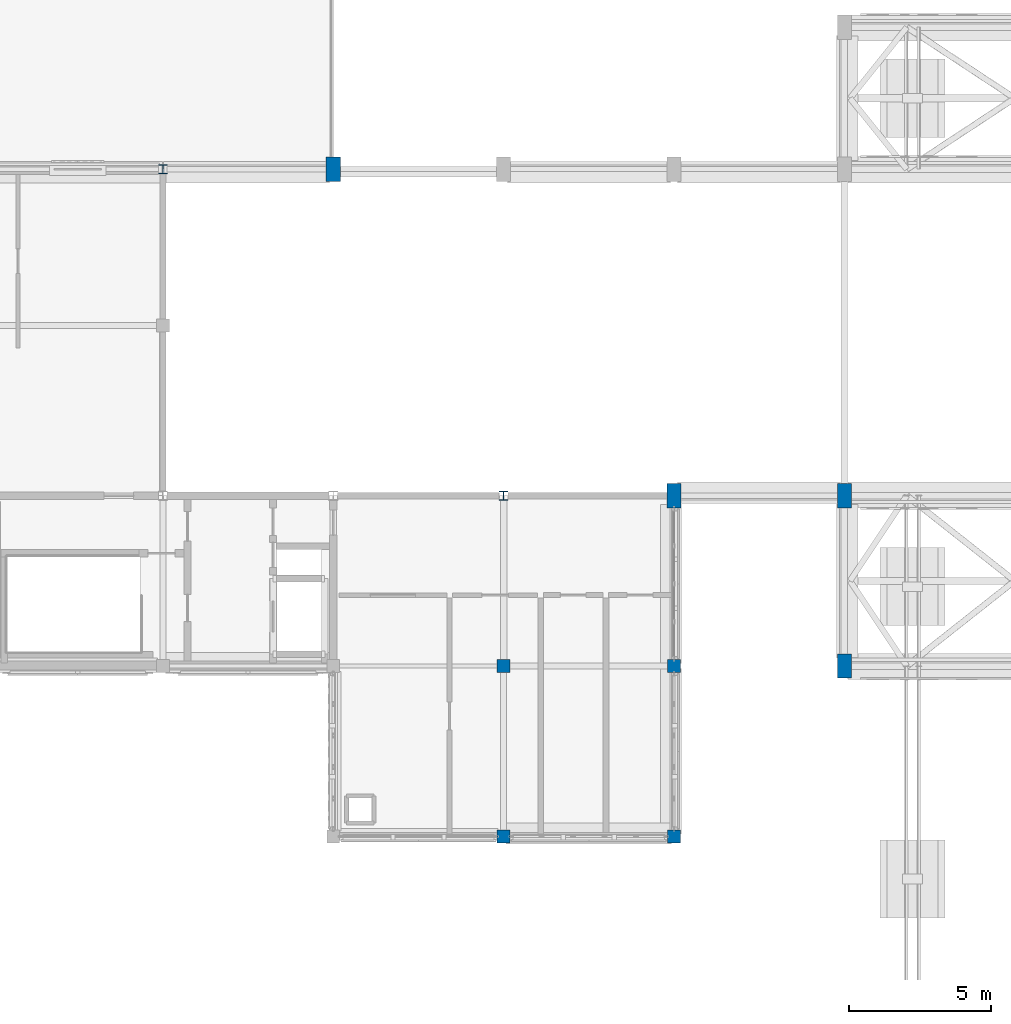
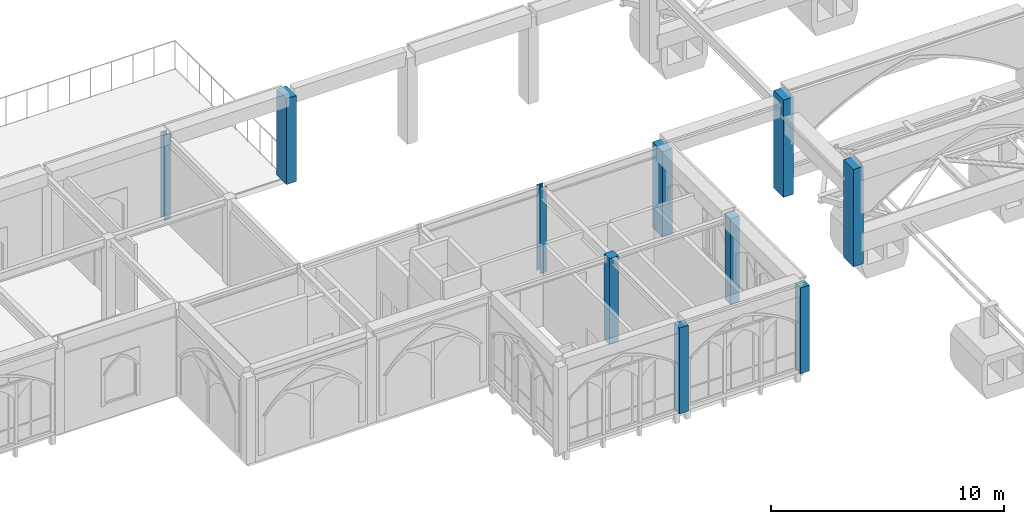
# One storey, part 4 of 59: 10 columns.
"""IFC4 building model written with IfcOpenShell, lengths in metres."""

from ifc_helpers import new_model, si_unit, direction, frame, origin, origin_2d, place, context, subcontext, project, spatial, rectangle, i_section, extrude, material, material_profile, profile_set, type_object, element, save


model = new_model("IFC4")

# Units and contexts
model_context = context("Model", 3, precision=1e-05, world=origin(), true_north=direction((0.0, 1.0)))
body_context = subcontext(model_context, "Body", "Model", "MODEL_VIEW")
ifc_project = project(units=[si_unit("LENGTHUNIT", "METRE"), si_unit("AREAUNIT", "SQUARE_METRE"), si_unit("VOLUMEUNIT", "CUBIC_METRE"), si_unit("PLANEANGLEUNIT", "RADIAN"), si_unit("MASSUNIT", "GRAM", prefix="KILO")], contexts=[model_context])

# Site, building, storey
site_placement = place(None, origin())
site = spatial("IfcSite", under=ifc_project, at=site_placement, CompositionType="ELEMENT")
building_placement = place(site_placement, origin())
building = spatial("IfcBuilding", under=site, at=building_placement, Name="Cumevento Cable Car Station", CompositionType="ELEMENT")
storey_placement = place(building_placement, frame((0.0, 0.0, 18.0)))
storey = spatial("IfcBuildingStorey", under=building, at=storey_placement, Name="L05", CompositionType="ELEMENT", Elevation=18.0)

# Columns
ifc_material_1 = material(Name="Concrete C40/50", Category="concrete")
ifc_material_profile_1 = material_profile(ifc_material_1, rectangle(XDim=0.5, YDim=0.85009765625, at=origin_2d()), Name="RC500x850")
ifc_profile_set_1 = profile_set([ifc_material_profile_1], Name="Concrete C40/50")
column_type_1 = type_object("IfcColumnType", Name="Buttress Pilaster P-BT850 RC500x850", PredefinedType="PILASTER", material=ifc_profile_set_1)
for number, where, z_axis, x_axis, name in (
    (1, (70.0, 56.5, 0.0), (0.0, 0.0, 1.0), (1.0, 0.0, 0.0), "Column P-BT850 L05 (70.0,56.5)"),
    (2, (82.0, 45.0, 0.0), (0.0, 0.0, 1.0), (1.0, 0.0, 0.0), "Column P-BT850 L05 (82.0,45.0)"),
):
    element("IfcColumn", number, at=place(storey_placement, frame(where, z_axis=z_axis, x_axis=x_axis)), inside=storey, type_object=column_type_1, Name=name, PredefinedType="PILASTER", context=body_context, shape_type="SweptSolid", body=[
        extrude(rectangle(XDim=0.5, YDim=0.85009765625, at=origin_2d()), origin(), (0.0, 0.0, 1.0), 4.5),
    ])
for number, where, z_axis, x_axis, name in (
    (3, (88.0, 45.0, 0.0), (0.0, 0.0, 1.0), (1.0, 0.0, 0.0), "Column P-BT850 L05 (88.0,45.0)"),
    (4, (88.0, 39.0, 0.0), (0.0, 0.0, 1.0), (1.0, 0.0, 0.0), "Portal/Terrace Column P-BT850 L05 (88.0,39.0)"),
):
    element("IfcColumn", number, at=place(storey_placement, frame(where, z_axis=z_axis, x_axis=x_axis)), inside=storey, type_object=column_type_1, Name=name, PredefinedType="PILASTER", context=body_context, shape_type="SweptSolid", body=[
        extrude(rectangle(XDim=0.5, YDim=0.85009765625, at=origin_2d()), origin(), (0.0, 0.0, 1.0), 5.10009765625),
    ])
ifc_material_2 = material(Name="Concrete C40/50", Category="concrete")
ifc_material_profile_2 = material_profile(ifc_material_2, rectangle(XDim=0.449951171875, YDim=0.449951171875, at=origin_2d()), Name="RC450x450")
ifc_profile_set_2 = profile_set([ifc_material_profile_2], Name="Concrete C40/50")
column_type_2 = type_object("IfcColumnType", Name="Column C-RC450 RC450x450", PredefinedType="COLUMN", material=ifc_profile_set_2)
for number, where, z_axis, x_axis, name in (
    (5, (76.0, 33.0, 0.0), (0.0, 0.0, 1.0), (1.0, 0.0, 0.0), "Column C-RC450 L05 (76.0,33.0)"),
    (6, (76.0, 39.0, 0.0), (0.0, 0.0, 1.0), (1.0, 0.0, 0.0), "Column C-RC450 L05 (76.0,39.0)"),
    (7, (82.0, 33.0, 0.0), (0.0, 0.0, 1.0), (1.0, 0.0, 0.0), "Column C-RC450 L05 (82.0,33.0)"),
    (8, (82.0, 39.0, 0.0), (0.0, 0.0, 1.0), (1.0, 0.0, 0.0), "Column C-RC450 L05 (82.0,39.0)"),
):
    element("IfcColumn", number, at=place(storey_placement, frame(where, z_axis=z_axis, x_axis=x_axis)), inside=storey, type_object=column_type_2, Name=name, PredefinedType="COLUMN", context=body_context, shape_type="SweptSolid", body=[
        extrude(rectangle(XDim=0.449951171875, YDim=0.449951171875, at=origin_2d()), origin(), (0.0, 0.0, 1.0), 4.5),
    ])
ifc_material_3 = material(Name="Steel ASTM A572 Grade 50", Category="steel")
ifc_material_profile_3 = material_profile(ifc_material_3, i_section(OverallWidth=0.304931640625, OverallDepth=0.30810546875, WebThickness=0.010009765625, FlangeThickness=0.015380859375, at=origin_2d()), Name="W310x97.0")
ifc_profile_set_3 = profile_set([ifc_material_profile_3], Name="Steel ASTM A572 Grade 50")
column_type_3 = type_object("IfcColumnType", Name="Column C-ST310 W310x97.0", PredefinedType="COLUMN", material=ifc_profile_set_3)
for number, where, z_axis, x_axis, name in (
    (9, (64.0, 56.5, 0.0), (0.0, 0.0, 1.0), (1.0, 0.0, 0.0), "Column C-ST310 L05 (64.0,56.5)"),
    (10, (76.0, 45.0, 0.0), (0.0, 0.0, 1.0), (1.0, 0.0, 0.0), "Column C-ST310 L05 (76.0,45.0)"),
):
    element("IfcColumn", number, at=place(storey_placement, frame(where, z_axis=z_axis, x_axis=x_axis)), inside=storey, type_object=column_type_3, Name=name, PredefinedType="COLUMN", context=body_context, shape_type="SweptSolid", body=[
        extrude(i_section(OverallWidth=0.304931640625, OverallDepth=0.30810546875, WebThickness=0.010009765625, FlangeThickness=0.015380859375, at=origin_2d()), origin(), (0.0, 0.0, 1.0), 4.5),
    ])

save(model, "model.ifc")
